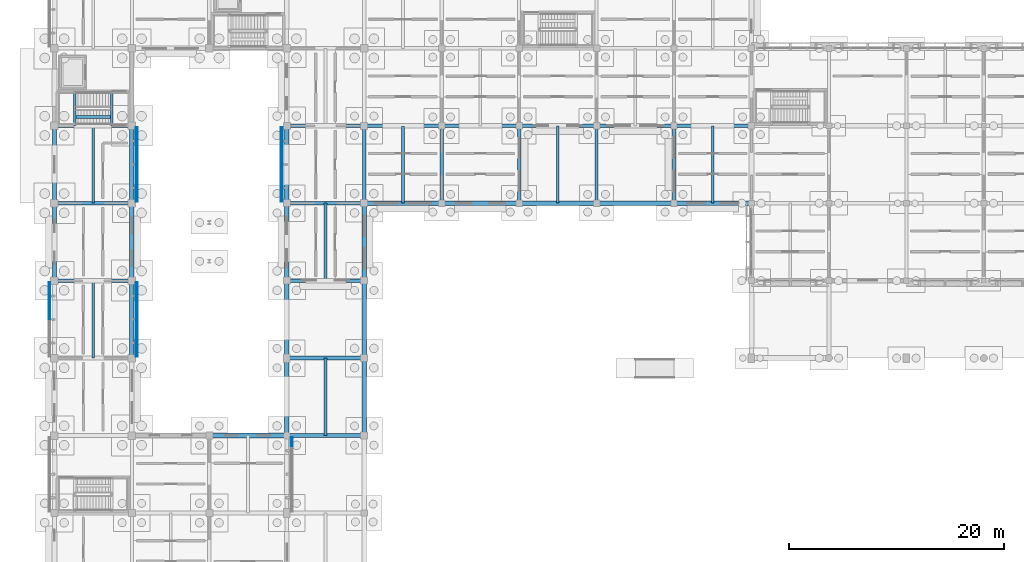
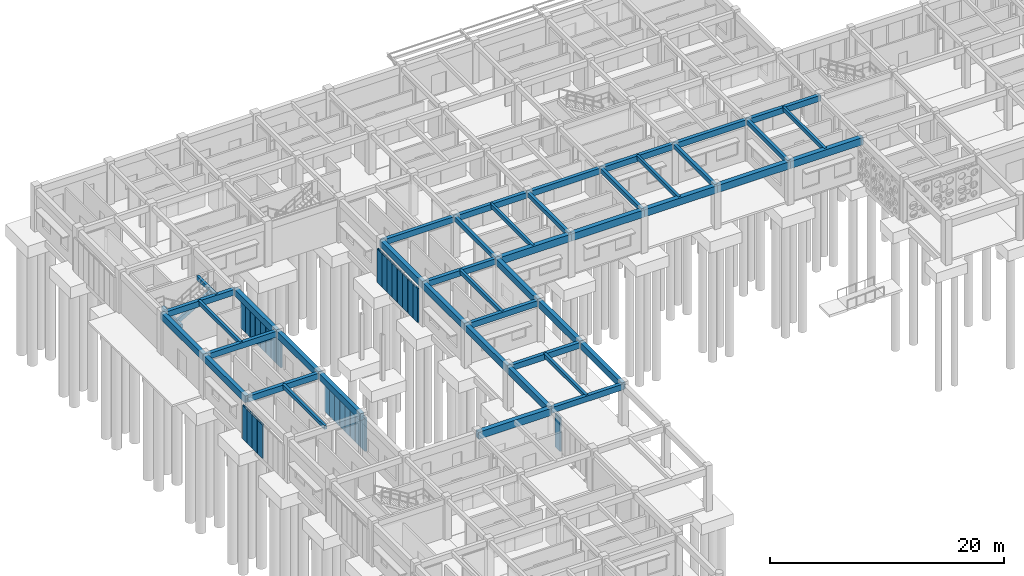
# One storey, part 15 of 111: 46 beams, 29 members, 5 elements without a shape of their own.
"""IFC4 building model written with IfcOpenShell, lengths in metres."""

import ifcopenshell
import ifcopenshell.guid

model = None  # the IFC model being written
_history = None  # IfcOwnerHistory: only IFC2X3 demands one
_inside = {}  # id of a spatial element -> (the spatial element, [elements in it])
_under = {}  # id of a project, library or spatial element -> (it, [spatial elements below it])
_declared = {}  # id of a project -> (the project, [libraries it declares])
_typed = {}  # id of a type object -> (the type object, [elements of that type])
_made_of = {}  # id of a material, layer set ... -> (it, [elements and type objects made of it])


def new_model(schema):
    """Start an empty IFC model of exactly this schema.

    Asked for "IFC4X3", IfcOpenShell would pick the latest addendum, in which some entities
    have other attributes; the version numbers below select the first issue.
    IFC2X3 requires an IfcOwnerHistory on every rooted entity: one is made here for all.
    """
    global model, _history
    if schema == "IFC4X3":
        model = ifcopenshell.file(schema_version=(4, 3, 0, 0))
    else:
        model = ifcopenshell.file(schema=schema)
    _inside.clear()
    _under.clear()
    _declared.clear()
    _typed.clear()
    _made_of.clear()
    _history = None
    if model.schema == "IFC2X3":
        org = make("IfcOrganization", Name="unknown")
        user = make(
            "IfcPersonAndOrganization",
            ThePerson=make("IfcPerson", FamilyName="unknown"),
            TheOrganization=org,
        )
        app = make(
            "IfcApplication",
            ApplicationDeveloper=org,
            Version="unknown",
            ApplicationFullName="unknown",
            ApplicationIdentifier="unknown",
        )
        _history = make(
            "IfcOwnerHistory",
            OwningUser=user,
            OwningApplication=app,
            ChangeAction="ADDED",
            CreationDate=0,
        )
    return model


def make(cls, **values):
    """One entity of the class cls with the attributes given. An attribute that is None is left unset."""
    return model.create_entity(
        cls, **{name: value for name, value in values.items() if value is not None}
    )


def rooted(cls, **values):
    """An entity with a GlobalId (a new one), such as an element, a storey or a relation."""
    return make(cls, GlobalId=ifcopenshell.guid.new(), OwnerHistory=_history, **values)


def si_unit(unit_type, name, prefix=None):
    """IfcSIUnit, for example si_unit("LENGTHUNIT", "METRE", prefix="MILLI")."""
    return make("IfcSIUnit", UnitType=unit_type, Prefix=prefix, Name=name)


def assignment(units):
    """IfcUnitAssignment: the units of a project."""
    return None if units is None else make("IfcUnitAssignment", Units=units)


def point(xyz):
    """IfcCartesianPoint."""
    return None if xyz is None else make("IfcCartesianPoint", Coordinates=xyz)


def direction(xyz):
    """IfcDirection."""
    return None if xyz is None else make("IfcDirection", DirectionRatios=xyz)


def frame(location, z_axis=None, x_axis=None):
    """IfcAxis2Placement3D, a coordinate frame: its origin and axes. An axis left out is left unset."""
    return make(
        "IfcAxis2Placement3D",
        Location=point(location),
        Axis=direction(z_axis),
        RefDirection=direction(x_axis),
    )


def frame_2d(location, x_axis=None):
    """IfcAxis2Placement2D, a coordinate frame in the plane: its origin and x axis."""
    return make(
        "IfcAxis2Placement2D", Location=point(location), RefDirection=direction(x_axis)
    )


def origin():
    """The frame at (0, 0, 0) with its axes left unset."""
    return frame((0.0, 0.0, 0.0))


def origin_2d():
    """The frame at (0, 0) in the plane with its x axis left unset."""
    return frame_2d((0.0, 0.0))


def place(relative_to, where):
    """IfcLocalPlacement: puts the frame where relative to a parent placement (None: the world)."""
    return make(
        "IfcLocalPlacement", PlacementRelTo=relative_to, RelativePlacement=where
    )


def context(
    kind, dimensions, precision=None, world=None, true_north=None, identifier=None
):
    """IfcGeometricRepresentationContext, for example the 3D "Model" context."""
    return make(
        "IfcGeometricRepresentationContext",
        ContextIdentifier=identifier,
        ContextType=kind,
        CoordinateSpaceDimension=dimensions,
        Precision=precision,
        WorldCoordinateSystem=world,
        TrueNorth=true_north,
    )


def subcontext(parent, identifier, kind, view, scale=None):
    """IfcGeometricRepresentationSubContext, for example "Body" below "Model"."""
    return make(
        "IfcGeometricRepresentationSubContext",
        ContextIdentifier=identifier,
        ContextType=kind,
        ParentContext=parent,
        TargetScale=scale,
        TargetView=view,
    )


def project(units=None, contexts=None):
    """IfcProject with its units and contexts."""
    return rooted(
        "IfcProject",
        Name="project",
        RepresentationContexts=contexts,
        UnitsInContext=assignment(units),
    )


def spatial(cls, under=None, at=None, **own):
    """A site, building, storey or space (cls), placed at a placement, below another one or the project."""
    s = rooted(cls, ObjectPlacement=at, **own)
    if under is not None:
        _under.setdefault(under.id(), (under, []))[1].append(s)
    return s


def profile(cls, at=None, kind="AREA", **sizes):
    """A parametric profile (cls). Its sizes go by their IFC names, for example OverallWidth=200.0."""
    return make(cls, ProfileType=kind, Position=at, **sizes)


def rectangle(**sizes):
    """IfcRectangleProfileDef."""
    return profile("IfcRectangleProfileDef", **sizes)


def hollow_rectangle(**sizes):
    """IfcRectangleHollowProfileDef."""
    return profile("IfcRectangleHollowProfileDef", **sizes)


def extrude(swept, where, along, depth):
    """IfcExtrudedAreaSolid: the profile swept, set in the frame where, extruded along a direction by depth."""
    return make(
        "IfcExtrudedAreaSolid",
        SweptArea=swept,
        Position=where,
        ExtrudedDirection=direction(along),
        Depth=depth,
    )


def shape(context_of_items, identifier, shape_type, items):
    """IfcShapeRepresentation: the items that make up one representation, for example the "Body"."""
    return make(
        "IfcShapeRepresentation",
        ContextOfItems=context_of_items,
        RepresentationIdentifier=identifier,
        RepresentationType=shape_type,
        Items=items,
    )


def material(Name=None, Category=None):
    """IfcMaterial."""
    return make("IfcMaterial", Name=Name, Category=Category)


def material_profile(
    of_material, cross_section, Name=None, Category=None, Priority=None
):
    """IfcMaterialProfile: a cross section and its material."""
    return make(
        "IfcMaterialProfile",
        Name=Name,
        Material=of_material,
        Profile=cross_section,
        Priority=Priority,
        Category=Category,
    )


def profile_set(profiles, Name=None, composite=None):
    """IfcMaterialProfileSet."""
    return make(
        "IfcMaterialProfileSet",
        Name=Name,
        MaterialProfiles=profiles,
        CompositeProfile=composite,
    )


def made_of(thing, what):
    """Note that an element or type object is made of a material, layer set ...; save() writes the relation."""
    if what is not None:
        _made_of.setdefault(what.id(), (what, []))[1].append(thing)
    return thing


def type_object(cls, material=None, **own):
    """A type object (cls), such as IfcWallType, which elements share."""
    return made_of(rooted(cls, **own), material)


def element(
    cls,
    number,
    at=None,
    inside=None,
    cuts=None,
    type_object=None,
    material=None,
    context=None,
    identifier="Body",
    shape_type=None,
    held_by="IfcProductDefinitionShape",
    body=None,
    shapes=None,
    **own,
):
    """One element of the class cls, such as IfcWall. Its Tag is "e" and its number.

    at: its placement. inside: the storey or other place that contains it. cuts: it is an
    opening in that element (IfcRelVoidsElement). A single representation is given by context,
    identifier, shape_type and body (its items); several are given by shapes. held_by: the class
    of the entity that holds the representations. save() writes the other relations.
    """
    e = rooted(cls, Tag="e%d" % number, ObjectPlacement=at, **own)
    if body is not None:
        shapes = [shape(context, identifier, shape_type, body)]
    if shapes is not None:
        e.Representation = make(held_by, Representations=shapes)
    if inside is not None:
        _inside.setdefault(inside.id(), (inside, []))[1].append(e)
    if cuts is not None:
        rooted(
            "IfcRelVoidsElement", RelatingBuildingElement=cuts, RelatedOpeningElement=e
        )
    if type_object is not None:
        _typed.setdefault(type_object.id(), (type_object, []))[1].append(e)
    return made_of(e, material)


def aggregate(whole, parts):
    """IfcRelAggregates: a whole, such as a stair, and the parts it consists of."""
    return rooted("IfcRelAggregates", RelatingObject=whole, RelatedObjects=parts)


def save(model, path):
    """Write the relations noted so far, then the file.

    IfcRelAggregates (storeys below a building ...), IfcRelContainedInSpatialStructure (elements
    in a storey), IfcRelDefinesByType, IfcRelAssociatesMaterial and IfcRelDeclares: one each for
    every whole, place, type object, material and project.
    """
    for whole, parts in _under.values():
        aggregate(whole, parts)
    for where, things in _inside.values():
        rooted(
            "IfcRelContainedInSpatialStructure",
            RelatedElements=things,
            RelatingStructure=where,
        )
    for kind, things in _typed.values():
        rooted("IfcRelDefinesByType", RelatedObjects=things, RelatingType=kind)
    for what, things in _made_of.values():
        rooted("IfcRelAssociatesMaterial", RelatedObjects=things, RelatingMaterial=what)
    for by, libraries in _declared.values():
        rooted("IfcRelDeclares", RelatingContext=by, RelatedDefinitions=libraries)
    model.write(path)


model = new_model("IFC4")

# Units and contexts
model_context = context("Model", 3, precision=1e-05, world=origin(), true_north=direction((0.0, 1.0)))
body_context = subcontext(model_context, "Body", "Model", "MODEL_VIEW")
ifc_project = project(units=[si_unit("LENGTHUNIT", "METRE"), si_unit("AREAUNIT", "SQUARE_METRE"), si_unit("VOLUMEUNIT", "CUBIC_METRE"), si_unit("PLANEANGLEUNIT", "RADIAN"), si_unit("MASSUNIT", "GRAM", prefix="KILO")], contexts=[model_context])

# Site, building, storey
site_placement = place(None, origin())
site = spatial("IfcSite", under=ifc_project, at=site_placement, CompositionType="ELEMENT")
building_placement = place(site_placement, origin())
building = spatial("IfcBuilding", under=site, at=building_placement, Name="Aldebral Square Health Centre", CompositionType="ELEMENT")
storey_placement = place(building_placement, origin())
storey = spatial("IfcBuildingStorey", under=building, at=storey_placement, Name="L00", CompositionType="ELEMENT", Elevation=0.0)

# Beams
ifc_material_1 = material(Name="Concrete C40/50", Category="concrete")
ifc_material_profile_1 = material_profile(ifc_material_1, rectangle(XDim=0.35009765625, YDim=0.60009765625, at=origin_2d()), Name="RC 350x600")
ifc_profile_set_1 = profile_set([ifc_material_profile_1], Name="Concrete C40/50")
beam_type_1 = type_object("IfcBeamType", Name="BM-B2", PredefinedType="BEAM", material=ifc_profile_set_1)
for number, where, z_axis, x_axis, name in (
    (1, (0.0, 79.199951171875, 3.919921875), (1.0, 0.0, 0.0), (0.0, 1.0, 0.0), "L00 X-beam 1-2/G12"),
    (2, (0.0, 86.39990234375, 3.919921875), (1.0, 0.0, 0.0), (0.0, 1.0, 0.0), "L00 X-beam 1-2/G13"),
    (3, (0.0, 93.60009765625, 3.919921875), (1.0, 0.0, 0.0), (0.0, 1.0, 0.0), "L00 X-beam 1-2/G14"),
    (4, (21.60009765625, 64.800048828125, 3.919921875), (1.0, 0.0, 0.0), (0.0, 1.0, 0.0), "L00 X-beam 4-5/G10"),
    (5, (21.60009765625, 72.0, 3.919921875), (1.0, 0.0, 0.0), (0.0, 1.0, 0.0), "L00 X-beam 4-5/G11"),
    (6, (21.60009765625, 79.199951171875, 3.919921875), (1.0, 0.0, 0.0), (0.0, 1.0, 0.0), "L00 X-beam 4-5/G12"),
    (7, (21.60009765625, 86.39990234375, 3.919921875), (1.0, 0.0, 0.0), (0.0, 1.0, 0.0), "L00 X-beam 4-5/G13"),
    (8, (21.60009765625, 93.60009765625, 3.919921875), (1.0, 0.0, 0.0), (0.0, 1.0, 0.0), "L00 X-beam 4-5/G14"),
    (9, (28.800048828125, 93.60009765625, 3.919921875), (1.0, 0.0, 0.0), (0.0, 1.0, 0.0), "L00 X-beam 5-6/G14"),
    (10, (36.0, 93.60009765625, 3.919921875), (1.0, 0.0, 0.0), (0.0, 1.0, 0.0), "L00 X-beam 6-7/G14"),
    (11, (43.199951171875, 93.60009765625, 3.919921875), (1.0, 0.0, 0.0), (0.0, 1.0, 0.0), "L00 X-beam 7-8/G14"),
):
    element("IfcBeam", number, at=place(storey_placement, frame(where, z_axis=z_axis, x_axis=x_axis)), inside=storey, type_object=beam_type_1, Name=name, PredefinedType="BEAM", context=body_context, shape_type="SweptSolid", body=[
        extrude(rectangle(XDim=0.35009765625, YDim=0.60009765625, at=origin_2d()), origin(), (0.0, 0.0, 1.0), 7.199951171875),
    ])
beam_1_placement = place(storey_placement, frame((50.39990234375, 93.60009765625, 3.919921875), z_axis=(1.0, 0.0, 0.0), x_axis=(0.0, 1.0, 0.0)))
element("IfcBeam", 12, at=beam_1_placement, inside=storey, type_object=beam_type_1, Name="L00 X-beam 8-9/G14", PredefinedType="BEAM", context=body_context, shape_type="SweptSolid", body=[
    extrude(rectangle(XDim=0.35009765625, YDim=0.60009765625, at=origin_2d()), origin(), (0.0, 0.0, 1.0), 7.2001953125),
])
beam_2_placement = place(storey_placement, frame((57.60009765625, 93.60009765625, 3.919921875), z_axis=(1.0, 0.0, 0.0), x_axis=(0.0, 1.0, 0.0)))
element("IfcBeam", 13, at=beam_2_placement, inside=storey, type_object=beam_type_1, Name="L00 X-beam 9-10/G14", PredefinedType="BEAM", context=body_context, shape_type="SweptSolid", body=[
    extrude(rectangle(XDim=0.35009765625, YDim=0.60009765625, at=origin_2d()), origin(), (0.0, 0.0, 1.0), 7.199951171875),
])
ifc_material_profile_2 = material_profile(ifc_material_1, rectangle(XDim=0.300048828125, YDim=0.449951171875, at=origin_2d()), Name="RC 300x450")
ifc_profile_set_2 = profile_set([ifc_material_profile_2], Name="Concrete C40/50")
beam_type_2 = type_object("IfcBeamType", Name="BM-B5", PredefinedType="BEAM", material=ifc_profile_set_2)
for number, where, z_axis, x_axis, name in (
    (14, (28.800048828125, 86.39990234375, 3.9951171875), (0.0, 1.0, 0.0), (-1.0, 0.0, 0.0), "L00 Y-beam G5/13-14"),
    (15, (36.0, 86.39990234375, 3.9951171875), (0.0, 1.0, 0.0), (-1.0, 0.0, 0.0), "L00 Y-beam G6/13-14"),
    (16, (43.199951171875, 86.39990234375, 3.9951171875), (0.0, 1.0, 0.0), (-1.0, 0.0, 0.0), "L00 Y-beam G7/13-14"),
    (17, (50.39990234375, 86.39990234375, 3.9951171875), (0.0, 1.0, 0.0), (-1.0, 0.0, 0.0), "L00 Y-beam G8/13-14"),
    (18, (57.60009765625, 86.39990234375, 3.9951171875), (0.0, 1.0, 0.0), (-1.0, 0.0, 0.0), "L00 Y-beam G9/13-14"),
):
    element("IfcBeam", number, at=place(storey_placement, frame(where, z_axis=z_axis, x_axis=x_axis)), inside=storey, type_object=beam_type_2, Name=name, PredefinedType="BEAM", context=body_context, shape_type="SweptSolid", body=[
        extrude(rectangle(XDim=0.300048828125, YDim=0.449951171875, at=origin_2d()), origin(), (0.0, 0.0, 1.0), 7.2001953125),
    ])
ifc_material_profile_3 = material_profile(ifc_material_1, rectangle(XDim=0.25, YDim=0.39990234375, at=origin_2d()), Name="RC 250x400")
ifc_profile_set_3 = profile_set([ifc_material_profile_3], Name="Concrete C40/50")
beam_type_3 = type_object("IfcBeamType", Name="BM-B6", PredefinedType="JOIST", material=ifc_profile_set_3)
beam_3_placement = place(storey_placement, frame((3.60009765625, 72.0, 4.02001953125), z_axis=(0.0, 1.0, 0.0), x_axis=(-1.0, 0.0, 0.0)))
element("IfcBeam", 19, at=beam_3_placement, inside=storey, type_object=beam_type_3, Name="L00 secondary rib 1.11", PredefinedType="JOIST", context=body_context, shape_type="SweptSolid", body=[
    extrude(rectangle(XDim=0.25, YDim=0.39990234375, at=origin_2d()), origin(), (0.0, 0.0, 1.0), 7.199951171875),
])
beam_4_placement = place(storey_placement, frame((3.60009765625, 86.39990234375, 4.02001953125), z_axis=(0.0, 1.0, 0.0), x_axis=(-1.0, 0.0, 0.0)))
element("IfcBeam", 20, at=beam_4_placement, inside=storey, type_object=beam_type_3, Name="L00 secondary rib 1.13", PredefinedType="JOIST", context=body_context, shape_type="SweptSolid", body=[
    extrude(rectangle(XDim=0.25, YDim=0.39990234375, at=origin_2d()), origin(), (0.0, 0.0, 1.0), 7.2001953125),
])
for number, where, z_axis, x_axis, name in (
    (21, (25.199951171875, 64.800048828125, 4.02001953125), (0.0, 1.0, 0.0), (-1.0, 0.0, 0.0), "L00 secondary rib 4.10"),
    (22, (25.199951171875, 79.199951171875, 4.02001953125), (0.0, 1.0, 0.0), (-1.0, 0.0, 0.0), "L00 secondary rib 4.12"),
):
    element("IfcBeam", number, at=place(storey_placement, frame(where, z_axis=z_axis, x_axis=x_axis)), inside=storey, type_object=beam_type_3, Name=name, PredefinedType="JOIST", context=body_context, shape_type="SweptSolid", body=[
        extrude(rectangle(XDim=0.25, YDim=0.39990234375, at=origin_2d()), origin(), (0.0, 0.0, 1.0), 7.199951171875),
    ])
for number, where, z_axis, x_axis, name in (
    (23, (32.39990234375, 86.39990234375, 4.02001953125), (0.0, 1.0, 0.0), (-1.0, 0.0, 0.0), "L00 secondary rib 5.13"),
    (24, (46.800048828125, 86.39990234375, 4.02001953125), (0.0, 1.0, 0.0), (-1.0, 0.0, 0.0), "L00 secondary rib 7.13"),
    (25, (61.199951171875, 86.39990234375, 4.02001953125), (0.0, 1.0, 0.0), (-1.0, 0.0, 0.0), "L00 secondary rib 9.13"),
):
    element("IfcBeam", number, at=place(storey_placement, frame(where, z_axis=z_axis, x_axis=x_axis)), inside=storey, type_object=beam_type_3, Name=name, PredefinedType="JOIST", context=body_context, shape_type="SweptSolid", body=[
        extrude(rectangle(XDim=0.25, YDim=0.39990234375, at=origin_2d()), origin(), (0.0, 0.0, 1.0), 7.2001953125),
    ])
for number, where, z_axis, x_axis, name in (
    (26, (1.8798828125, 93.610107421875, 2.050048828125), (0.0, 1.0, 0.0), (-1.0, 0.0, 0.0), "L00 WC-C1 half-landing beam"),
    (27, (5.320068359375, 93.610107421875, 4.02001953125), (0.0, 1.0, 0.0), (-1.0, 0.0, 0.0), "L00 WC-C1 upper landing beam"),
):
    element("IfcBeam", number, at=place(storey_placement, frame(where, z_axis=z_axis, x_axis=x_axis)), inside=storey, type_object=beam_type_3, Name=name, PredefinedType="JOIST", context=body_context, shape_type="SweptSolid", body=[
        extrude(rectangle(XDim=0.25, YDim=0.39990234375, at=origin_2d()), origin(), (0.0, 0.0, 1.0), 3.219970703125),
    ])
beam_5_placement = place(storey_placement, frame((1.8798828125, 94.419921875, 2.050048828125), z_axis=(0.867791792995, 0.0, 0.496927966622), x_axis=(0.0, 1.0, 0.0)))
element("IfcBeam", 28, at=beam_5_placement, inside=storey, type_object=beam_type_3, Name="L00 WC-C1 flight stringer beam", PredefinedType="JOIST", context=body_context, shape_type="SweptSolid", body=[
    extrude(rectangle(XDim=0.25, YDim=0.39990234375, at=origin_2d()), origin(), (0.0, 0.0, 1.0), 3.96435546875),
])
ifc_material_profile_4 = material_profile(ifc_material_1, rectangle(XDim=0.449951171875, YDim=0.75, at=origin_2d()), Name="RC 450x750")
ifc_profile_set_4 = profile_set([ifc_material_profile_4], Name="Concrete C40/50")
beam_type_4 = type_object("IfcBeamType", Name="BM-G2", PredefinedType="T_BEAM", material=ifc_profile_set_4)
beam_6_placement = place(storey_placement, frame((14.39990234375, 64.800048828125, 3.844970703125), z_axis=(1.0, 0.0, 0.0), x_axis=(0.0, 1.0, 0.0)))
element("IfcBeam", 29, at=beam_6_placement, inside=storey, type_object=beam_type_4, Name="L00 X-beam 3-4/G10", PredefinedType="T_BEAM", context=body_context, shape_type="SweptSolid", body=[
    extrude(rectangle(XDim=0.449951171875, YDim=0.75, at=origin_2d()), origin(), (0.0, 0.0, 1.0), 7.2001953125),
])
for number, where, z_axis, x_axis, name in (
    (30, (28.800048828125, 86.39990234375, 3.844970703125), (1.0, 0.0, 0.0), (0.0, 1.0, 0.0), "L00 X-beam 5-6/G13"),
    (31, (36.0, 86.39990234375, 3.844970703125), (1.0, 0.0, 0.0), (0.0, 1.0, 0.0), "L00 X-beam 6-7/G13"),
    (32, (43.199951171875, 86.39990234375, 3.844970703125), (1.0, 0.0, 0.0), (0.0, 1.0, 0.0), "L00 X-beam 7-8/G13"),
):
    element("IfcBeam", number, at=place(storey_placement, frame(where, z_axis=z_axis, x_axis=x_axis)), inside=storey, type_object=beam_type_4, Name=name, PredefinedType="T_BEAM", context=body_context, shape_type="SweptSolid", body=[
        extrude(rectangle(XDim=0.449951171875, YDim=0.75, at=origin_2d()), origin(), (0.0, 0.0, 1.0), 7.199951171875),
    ])
beam_7_placement = place(storey_placement, frame((50.39990234375, 86.39990234375, 3.844970703125), z_axis=(1.0, 0.0, 0.0), x_axis=(0.0, 1.0, 0.0)))
element("IfcBeam", 33, at=beam_7_placement, inside=storey, type_object=beam_type_4, Name="L00 X-beam 8-9/G13", PredefinedType="T_BEAM", context=body_context, shape_type="SweptSolid", body=[
    extrude(rectangle(XDim=0.449951171875, YDim=0.75, at=origin_2d()), origin(), (0.0, 0.0, 1.0), 7.2001953125),
])
beam_8_placement = place(storey_placement, frame((57.60009765625, 86.39990234375, 3.844970703125), z_axis=(1.0, 0.0, 0.0), x_axis=(0.0, 1.0, 0.0)))
element("IfcBeam", 34, at=beam_8_placement, inside=storey, type_object=beam_type_4, Name="L00 X-beam 9-10/G13", PredefinedType="T_BEAM", context=body_context, shape_type="SweptSolid", body=[
    extrude(rectangle(XDim=0.449951171875, YDim=0.75, at=origin_2d()), origin(), (0.0, 0.0, 1.0), 7.199951171875),
])
ifc_material_profile_5 = material_profile(ifc_material_1, rectangle(XDim=0.39990234375, YDim=0.699951171875, at=origin_2d()), Name="RC 400x700")
ifc_profile_set_5 = profile_set([ifc_material_profile_5], Name="Concrete C40/50")
beam_type_5 = type_object("IfcBeamType", Name="BM-G3", PredefinedType="T_BEAM", material=ifc_profile_set_5)
beam_9_placement = place(storey_placement, frame((0.0, 79.199951171875, 3.8701171875), z_axis=(0.0, 1.0, 0.0), x_axis=(-1.0, 0.0, 0.0)))
element("IfcBeam", 35, at=beam_9_placement, inside=storey, type_object=beam_type_5, Name="L00 Y-beam G1/12-13", PredefinedType="T_BEAM", context=body_context, shape_type="SweptSolid", body=[
    extrude(rectangle(XDim=0.39990234375, YDim=0.699951171875, at=origin_2d()), origin(), (0.0, 0.0, 1.0), 7.199951171875),
])
beam_10_placement = place(storey_placement, frame((0.0, 86.39990234375, 3.8701171875), z_axis=(0.0, 1.0, 0.0), x_axis=(-1.0, 0.0, 0.0)))
element("IfcBeam", 36, at=beam_10_placement, inside=storey, type_object=beam_type_5, Name="L00 Y-beam G1/13-14", PredefinedType="T_BEAM", context=body_context, shape_type="SweptSolid", body=[
    extrude(rectangle(XDim=0.39990234375, YDim=0.699951171875, at=origin_2d()), origin(), (0.0, 0.0, 1.0), 7.2001953125),
])
for number, where, z_axis, x_axis, name in (
    (37, (7.199951171875, 72.0, 3.8701171875), (0.0, 1.0, 0.0), (-1.0, 0.0, 0.0), "L00 Y-beam G2/11-12"),
    (38, (7.199951171875, 79.199951171875, 3.8701171875), (0.0, 1.0, 0.0), (-1.0, 0.0, 0.0), "L00 Y-beam G2/12-13"),
):
    element("IfcBeam", number, at=place(storey_placement, frame(where, z_axis=z_axis, x_axis=x_axis)), inside=storey, type_object=beam_type_5, Name=name, PredefinedType="T_BEAM", context=body_context, shape_type="SweptSolid", body=[
        extrude(rectangle(XDim=0.39990234375, YDim=0.699951171875, at=origin_2d()), origin(), (0.0, 0.0, 1.0), 7.199951171875),
    ])
beam_11_placement = place(storey_placement, frame((7.199951171875, 86.39990234375, 3.8701171875), z_axis=(0.0, 1.0, 0.0), x_axis=(-1.0, 0.0, 0.0)))
element("IfcBeam", 39, at=beam_11_placement, inside=storey, type_object=beam_type_5, Name="L00 Y-beam G2/13-14", PredefinedType="T_BEAM", context=body_context, shape_type="SweptSolid", body=[
    extrude(rectangle(XDim=0.39990234375, YDim=0.699951171875, at=origin_2d()), origin(), (0.0, 0.0, 1.0), 7.2001953125),
])
for number, where, z_axis, x_axis, name in (
    (40, (21.60009765625, 64.800048828125, 3.8701171875), (0.0, 1.0, 0.0), (-1.0, 0.0, 0.0), "L00 Y-beam G4/10-11"),
    (41, (21.60009765625, 72.0, 3.8701171875), (0.0, 1.0, 0.0), (-1.0, 0.0, 0.0), "L00 Y-beam G4/11-12"),
    (42, (21.60009765625, 79.199951171875, 3.8701171875), (0.0, 1.0, 0.0), (-1.0, 0.0, 0.0), "L00 Y-beam G4/12-13"),
):
    element("IfcBeam", number, at=place(storey_placement, frame(where, z_axis=z_axis, x_axis=x_axis)), inside=storey, type_object=beam_type_5, Name=name, PredefinedType="T_BEAM", context=body_context, shape_type="SweptSolid", body=[
        extrude(rectangle(XDim=0.39990234375, YDim=0.699951171875, at=origin_2d()), origin(), (0.0, 0.0, 1.0), 7.199951171875),
    ])
beam_12_placement = place(storey_placement, frame((21.60009765625, 86.39990234375, 3.8701171875), z_axis=(0.0, 1.0, 0.0), x_axis=(-1.0, 0.0, 0.0)))
element("IfcBeam", 43, at=beam_12_placement, inside=storey, type_object=beam_type_5, Name="L00 Y-beam G4/13-14", PredefinedType="T_BEAM", context=body_context, shape_type="SweptSolid", body=[
    extrude(rectangle(XDim=0.39990234375, YDim=0.699951171875, at=origin_2d()), origin(), (0.0, 0.0, 1.0), 7.2001953125),
])
for number, where, z_axis, x_axis, name in (
    (44, (28.800048828125, 64.800048828125, 3.8701171875), (0.0, 1.0, 0.0), (-1.0, 0.0, 0.0), "L00 Y-beam G5/10-11"),
    (45, (28.800048828125, 72.0, 3.8701171875), (0.0, 1.0, 0.0), (-1.0, 0.0, 0.0), "L00 Y-beam G5/11-12"),
    (46, (28.800048828125, 79.199951171875, 3.8701171875), (0.0, 1.0, 0.0), (-1.0, 0.0, 0.0), "L00 Y-beam G5/12-13"),
):
    element("IfcBeam", number, at=place(storey_placement, frame(where, z_axis=z_axis, x_axis=x_axis)), inside=storey, type_object=beam_type_5, Name=name, PredefinedType="T_BEAM", context=body_context, shape_type="SweptSolid", body=[
        extrude(rectangle(XDim=0.39990234375, YDim=0.699951171875, at=origin_2d()), origin(), (0.0, 0.0, 1.0), 7.199951171875),
    ])

# Curtain wall, members
ifc_material_2 = material(Name="Aluminium and low-E solar glass", Category="aluminium")
curtain_wall_type = type_object("IfcCurtainWallType", Name="CW-FIN-SYS", PredefinedType="USERDEFINED", material=ifc_material_2)
curtain_wall_1_placement = place(storey_placement, origin())
curtain_wall_1 = element("IfcCurtainWall", 47, at=curtain_wall_1_placement, inside=storey, type_object=curtain_wall_type, Name="L00 V4 finned curtain wall L00-V4-00-10-W", ObjectType="SOLAR_CURTAIN_WALL", PredefinedType="USERDEFINED")
ifc_material_3 = material(Name="Sienna-terracotta clad aluminium fin", Category="masonry")
ifc_material_profile_6 = material_profile(ifc_material_3, hollow_rectangle(XDim=0.159912109375, YDim=0.85009765625, WallThickness=0.006103515625, at=origin_2d()), Name="FIN 160x850x6")
ifc_profile_set_6 = profile_set([ifc_material_profile_6], Name="Sienna-terracotta clad aluminium fin")
member_type = type_object("IfcMemberType", Name="CWM-FIN", PredefinedType="MULLION", material=ifc_profile_set_6)
member_1_placement = place(storey_placement, frame((-0.4599609375, 78.639892578125, 0.0), z_axis=(0.0, 0.0, 1.0), x_axis=(1.0, 0.0, 0.0)))
member_1 = element("IfcMember", 48, at=member_1_placement, type_object=member_type, Name="CW1 mullion 1", PredefinedType="MULLION", context=body_context, shape_type="SweptSolid", body=[
    extrude(hollow_rectangle(XDim=0.159912109375, YDim=0.85009765625, WallThickness=0.006103515625, at=origin_2d()), origin(), (0.0, 0.0, 1.0), 3.52001953125),
])
member_2_placement = place(storey_placement, frame((-0.4599609375, 77.82861328125, 0.0), z_axis=(0.0, 0.0, 1.0), x_axis=(1.0, 0.0, 0.0)))
member_2 = element("IfcMember", 49, at=member_2_placement, type_object=member_type, Name="CW1 mullion 2", PredefinedType="MULLION", context=body_context, shape_type="SweptSolid", body=[
    extrude(hollow_rectangle(XDim=0.159912109375, YDim=0.85009765625, WallThickness=0.006103515625, at=origin_2d()), origin(), (0.0, 0.0, 1.0), 3.52001953125),
])
member_3_placement = place(storey_placement, frame((-0.4599609375, 76.937255859375, 0.0), z_axis=(0.0, 0.0, 1.0), x_axis=(1.0, 0.0, 0.0)))
member_3 = element("IfcMember", 50, at=member_3_placement, type_object=member_type, Name="CW1 mullion 3", PredefinedType="MULLION", context=body_context, shape_type="SweptSolid", body=[
    extrude(hollow_rectangle(XDim=0.159912109375, YDim=0.85009765625, WallThickness=0.006103515625, at=origin_2d()), origin(), (0.0, 0.0, 1.0), 3.52001953125),
])
member_4_placement = place(storey_placement, frame((-0.4599609375, 76.045654296875, 0.0), z_axis=(0.0, 0.0, 1.0), x_axis=(1.0, 0.0, 0.0)))
member_4 = element("IfcMember", 51, at=member_4_placement, type_object=member_type, Name="CW1 mullion 4", PredefinedType="MULLION", context=body_context, shape_type="SweptSolid", body=[
    extrude(hollow_rectangle(XDim=0.159912109375, YDim=0.85009765625, WallThickness=0.006103515625, at=origin_2d()), origin(), (0.0, 0.0, 1.0), 3.52001953125),
])
aggregate(curtain_wall_1, [member_1, member_2, member_3, member_4])

curtain_wall_2_placement = place(storey_placement, origin())
curtain_wall_2 = element("IfcCurtainWall", 52, at=curtain_wall_2_placement, inside=storey, type_object=curtain_wall_type, Name="L00 V4 finned curtain wall L00-V4-00-10-E", ObjectType="SOLAR_CURTAIN_WALL", PredefinedType="USERDEFINED")
member_5_placement = place(storey_placement, frame((7.659912109375, 72.56005859375, 0.0), z_axis=(0.0, 0.0, 1.0), x_axis=(-1.0, 0.0, 0.0)))
member_5 = element("IfcMember", 53, at=member_5_placement, type_object=member_type, Name="CW1 mullion 1", PredefinedType="MULLION", context=body_context, shape_type="SweptSolid", body=[
    extrude(hollow_rectangle(XDim=0.159912109375, YDim=0.85009765625, WallThickness=0.006103515625, at=origin_2d()), origin(), (0.0, 0.0, 1.0), 3.52001953125),
])
member_6_placement = place(storey_placement, frame((7.659912109375, 73.371337890625, 0.0), z_axis=(0.0, 0.0, 1.0), x_axis=(-1.0, 0.0, 0.0)))
member_6 = element("IfcMember", 54, at=member_6_placement, type_object=member_type, Name="CW1 mullion 2", PredefinedType="MULLION", context=body_context, shape_type="SweptSolid", body=[
    extrude(hollow_rectangle(XDim=0.159912109375, YDim=0.85009765625, WallThickness=0.006103515625, at=origin_2d()), origin(), (0.0, 0.0, 1.0), 3.52001953125),
])
member_7_placement = place(storey_placement, frame((7.659912109375, 74.262939453125, 0.0), z_axis=(0.0, 0.0, 1.0), x_axis=(-1.0, 0.0, 0.0)))
member_7 = element("IfcMember", 55, at=member_7_placement, type_object=member_type, Name="CW1 mullion 3", PredefinedType="MULLION", context=body_context, shape_type="SweptSolid", body=[
    extrude(hollow_rectangle(XDim=0.159912109375, YDim=0.85009765625, WallThickness=0.006103515625, at=origin_2d()), origin(), (0.0, 0.0, 1.0), 3.52001953125),
])
member_8_placement = place(storey_placement, frame((7.659912109375, 75.154296875, 0.0), z_axis=(0.0, 0.0, 1.0), x_axis=(-1.0, 0.0, 0.0)))
member_8 = element("IfcMember", 56, at=member_8_placement, type_object=member_type, Name="CW1 mullion 4", PredefinedType="MULLION", context=body_context, shape_type="SweptSolid", body=[
    extrude(hollow_rectangle(XDim=0.159912109375, YDim=0.85009765625, WallThickness=0.006103515625, at=origin_2d()), origin(), (0.0, 0.0, 1.0), 3.52001953125),
])
member_9_placement = place(storey_placement, frame((7.659912109375, 76.045654296875, 0.0), z_axis=(0.0, 0.0, 1.0), x_axis=(-1.0, 0.0, 0.0)))
member_9 = element("IfcMember", 57, at=member_9_placement, type_object=member_type, Name="CW1 mullion 5", PredefinedType="MULLION", context=body_context, shape_type="SweptSolid", body=[
    extrude(hollow_rectangle(XDim=0.159912109375, YDim=0.85009765625, WallThickness=0.006103515625, at=origin_2d()), origin(), (0.0, 0.0, 1.0), 3.52001953125),
])
member_10_placement = place(storey_placement, frame((7.659912109375, 76.937255859375, 0.0), z_axis=(0.0, 0.0, 1.0), x_axis=(-1.0, 0.0, 0.0)))
member_10 = element("IfcMember", 58, at=member_10_placement, type_object=member_type, Name="CW1 mullion 6", PredefinedType="MULLION", context=body_context, shape_type="SweptSolid", body=[
    extrude(hollow_rectangle(XDim=0.159912109375, YDim=0.85009765625, WallThickness=0.006103515625, at=origin_2d()), origin(), (0.0, 0.0, 1.0), 3.52001953125),
])
member_11_placement = place(storey_placement, frame((7.659912109375, 77.82861328125, 0.0), z_axis=(0.0, 0.0, 1.0), x_axis=(-1.0, 0.0, 0.0)))
member_11 = element("IfcMember", 59, at=member_11_placement, type_object=member_type, Name="CW1 mullion 7", PredefinedType="MULLION", context=body_context, shape_type="SweptSolid", body=[
    extrude(hollow_rectangle(XDim=0.159912109375, YDim=0.85009765625, WallThickness=0.006103515625, at=origin_2d()), origin(), (0.0, 0.0, 1.0), 3.52001953125),
])
member_12_placement = place(storey_placement, frame((7.659912109375, 78.639892578125, 0.0), z_axis=(0.0, 0.0, 1.0), x_axis=(-1.0, 0.0, 0.0)))
member_12 = element("IfcMember", 60, at=member_12_placement, type_object=member_type, Name="CW1 mullion 8", PredefinedType="MULLION", context=body_context, shape_type="SweptSolid", body=[
    extrude(hollow_rectangle(XDim=0.159912109375, YDim=0.85009765625, WallThickness=0.006103515625, at=origin_2d()), origin(), (0.0, 0.0, 1.0), 3.52001953125),
])
aggregate(curtain_wall_2, [member_5, member_6, member_7, member_8, member_9, member_10, member_11, member_12])

curtain_wall_3_placement = place(storey_placement, origin())
curtain_wall_3 = element("IfcCurtainWall", 61, at=curtain_wall_3_placement, inside=storey, type_object=curtain_wall_type, Name="L00 V4 finned curtain wall L00-V4-00-12-E", ObjectType="SOLAR_CURTAIN_WALL", PredefinedType="USERDEFINED")
member_13_placement = place(storey_placement, frame((7.659912109375, 86.9599609375, 0.0), z_axis=(0.0, 0.0, 1.0), x_axis=(-1.0, 0.0, 0.0)))
member_13 = element("IfcMember", 62, at=member_13_placement, type_object=member_type, Name="CW1 mullion 1", PredefinedType="MULLION", context=body_context, shape_type="SweptSolid", body=[
    extrude(hollow_rectangle(XDim=0.159912109375, YDim=0.85009765625, WallThickness=0.006103515625, at=origin_2d()), origin(), (0.0, 0.0, 1.0), 3.52001953125),
])
member_14_placement = place(storey_placement, frame((7.659912109375, 87.771484375, 0.0), z_axis=(0.0, 0.0, 1.0), x_axis=(-1.0, 0.0, 0.0)))
member_14 = element("IfcMember", 63, at=member_14_placement, type_object=member_type, Name="CW1 mullion 2", PredefinedType="MULLION", context=body_context, shape_type="SweptSolid", body=[
    extrude(hollow_rectangle(XDim=0.159912109375, YDim=0.85009765625, WallThickness=0.006103515625, at=origin_2d()), origin(), (0.0, 0.0, 1.0), 3.52001953125),
])
member_15_placement = place(storey_placement, frame((7.659912109375, 88.662841796875, 0.0), z_axis=(0.0, 0.0, 1.0), x_axis=(-1.0, 0.0, 0.0)))
member_15 = element("IfcMember", 64, at=member_15_placement, type_object=member_type, Name="CW1 mullion 3", PredefinedType="MULLION", context=body_context, shape_type="SweptSolid", body=[
    extrude(hollow_rectangle(XDim=0.159912109375, YDim=0.85009765625, WallThickness=0.006103515625, at=origin_2d()), origin(), (0.0, 0.0, 1.0), 3.52001953125),
])
member_16_placement = place(storey_placement, frame((7.659912109375, 89.55419921875, 0.0), z_axis=(0.0, 0.0, 1.0), x_axis=(-1.0, 0.0, 0.0)))
member_16 = element("IfcMember", 65, at=member_16_placement, type_object=member_type, Name="CW1 mullion 4", PredefinedType="MULLION", context=body_context, shape_type="SweptSolid", body=[
    extrude(hollow_rectangle(XDim=0.159912109375, YDim=0.85009765625, WallThickness=0.006103515625, at=origin_2d()), origin(), (0.0, 0.0, 1.0), 3.52001953125),
])
member_17_placement = place(storey_placement, frame((7.659912109375, 90.44580078125, 0.0), z_axis=(0.0, 0.0, 1.0), x_axis=(-1.0, 0.0, 0.0)))
member_17 = element("IfcMember", 66, at=member_17_placement, type_object=member_type, Name="CW1 mullion 5", PredefinedType="MULLION", context=body_context, shape_type="SweptSolid", body=[
    extrude(hollow_rectangle(XDim=0.159912109375, YDim=0.85009765625, WallThickness=0.006103515625, at=origin_2d()), origin(), (0.0, 0.0, 1.0), 3.52001953125),
])
member_18_placement = place(storey_placement, frame((7.659912109375, 91.337158203125, 0.0), z_axis=(0.0, 0.0, 1.0), x_axis=(-1.0, 0.0, 0.0)))
member_18 = element("IfcMember", 67, at=member_18_placement, type_object=member_type, Name="CW1 mullion 6", PredefinedType="MULLION", context=body_context, shape_type="SweptSolid", body=[
    extrude(hollow_rectangle(XDim=0.159912109375, YDim=0.85009765625, WallThickness=0.006103515625, at=origin_2d()), origin(), (0.0, 0.0, 1.0), 3.52001953125),
])
member_19_placement = place(storey_placement, frame((7.659912109375, 92.228515625, 0.0), z_axis=(0.0, 0.0, 1.0), x_axis=(-1.0, 0.0, 0.0)))
member_19 = element("IfcMember", 68, at=member_19_placement, type_object=member_type, Name="CW1 mullion 7", PredefinedType="MULLION", context=body_context, shape_type="SweptSolid", body=[
    extrude(hollow_rectangle(XDim=0.159912109375, YDim=0.85009765625, WallThickness=0.006103515625, at=origin_2d()), origin(), (0.0, 0.0, 1.0), 3.52001953125),
])
member_20_placement = place(storey_placement, frame((7.659912109375, 93.0400390625, 0.0), z_axis=(0.0, 0.0, 1.0), x_axis=(-1.0, 0.0, 0.0)))
member_20 = element("IfcMember", 69, at=member_20_placement, type_object=member_type, Name="CW1 mullion 8", PredefinedType="MULLION", context=body_context, shape_type="SweptSolid", body=[
    extrude(hollow_rectangle(XDim=0.159912109375, YDim=0.85009765625, WallThickness=0.006103515625, at=origin_2d()), origin(), (0.0, 0.0, 1.0), 3.52001953125),
])
aggregate(curtain_wall_3, [member_13, member_14, member_15, member_16, member_17, member_18, member_19, member_20])

# Curtain wall, member
curtain_wall_4_placement = place(storey_placement, origin())
curtain_wall_4 = element("IfcCurtainWall", 70, at=curtain_wall_4_placement, inside=storey, type_object=curtain_wall_type, Name="L00 V4 finned curtain wall L00-V4-02-08-E", ObjectType="SOLAR_CURTAIN_WALL", PredefinedType="USERDEFINED")
member_21_placement = place(storey_placement, frame((22.06005859375, 64.239990234375, 0.0), z_axis=(0.0, 0.0, 1.0), x_axis=(-1.0, 0.0, 0.0)))
member_21 = element("IfcMember", 71, at=member_21_placement, type_object=member_type, Name="CW1 mullion 8", PredefinedType="MULLION", context=body_context, shape_type="SweptSolid", body=[
    extrude(hollow_rectangle(XDim=0.159912109375, YDim=0.85009765625, WallThickness=0.006103515625, at=origin_2d()), origin(), (0.0, 0.0, 1.0), 3.52001953125),
])
aggregate(curtain_wall_4, [member_21])

# Curtain wall, members
curtain_wall_5_placement = place(storey_placement, origin())
curtain_wall_5 = element("IfcCurtainWall", 72, at=curtain_wall_5_placement, inside=storey, type_object=curtain_wall_type, Name="L00 V4 finned curtain wall L00-V4-03-12-W", ObjectType="SOLAR_CURTAIN_WALL", PredefinedType="USERDEFINED")
member_22_placement = place(storey_placement, frame((21.139892578125, 93.0400390625, 0.0), z_axis=(0.0, 0.0, 1.0), x_axis=(1.0, 0.0, 0.0)))
member_22 = element("IfcMember", 73, at=member_22_placement, type_object=member_type, Name="CW1 mullion 1", PredefinedType="MULLION", context=body_context, shape_type="SweptSolid", body=[
    extrude(hollow_rectangle(XDim=0.159912109375, YDim=0.85009765625, WallThickness=0.006103515625, at=origin_2d()), origin(), (0.0, 0.0, 1.0), 3.52001953125),
])
member_23_placement = place(storey_placement, frame((21.139892578125, 92.228515625, 0.0), z_axis=(0.0, 0.0, 1.0), x_axis=(1.0, 0.0, 0.0)))
member_23 = element("IfcMember", 74, at=member_23_placement, type_object=member_type, Name="CW1 mullion 2", PredefinedType="MULLION", context=body_context, shape_type="SweptSolid", body=[
    extrude(hollow_rectangle(XDim=0.159912109375, YDim=0.85009765625, WallThickness=0.006103515625, at=origin_2d()), origin(), (0.0, 0.0, 1.0), 3.52001953125),
])
member_24_placement = place(storey_placement, frame((21.139892578125, 91.337158203125, 0.0), z_axis=(0.0, 0.0, 1.0), x_axis=(1.0, 0.0, 0.0)))
member_24 = element("IfcMember", 75, at=member_24_placement, type_object=member_type, Name="CW1 mullion 3", PredefinedType="MULLION", context=body_context, shape_type="SweptSolid", body=[
    extrude(hollow_rectangle(XDim=0.159912109375, YDim=0.85009765625, WallThickness=0.006103515625, at=origin_2d()), origin(), (0.0, 0.0, 1.0), 3.52001953125),
])
member_25_placement = place(storey_placement, frame((21.139892578125, 90.44580078125, 0.0), z_axis=(0.0, 0.0, 1.0), x_axis=(1.0, 0.0, 0.0)))
member_25 = element("IfcMember", 76, at=member_25_placement, type_object=member_type, Name="CW1 mullion 4", PredefinedType="MULLION", context=body_context, shape_type="SweptSolid", body=[
    extrude(hollow_rectangle(XDim=0.159912109375, YDim=0.85009765625, WallThickness=0.006103515625, at=origin_2d()), origin(), (0.0, 0.0, 1.0), 3.52001953125),
])
member_26_placement = place(storey_placement, frame((21.139892578125, 89.55419921875, 0.0), z_axis=(0.0, 0.0, 1.0), x_axis=(1.0, 0.0, 0.0)))
member_26 = element("IfcMember", 77, at=member_26_placement, type_object=member_type, Name="CW1 mullion 5", PredefinedType="MULLION", context=body_context, shape_type="SweptSolid", body=[
    extrude(hollow_rectangle(XDim=0.159912109375, YDim=0.85009765625, WallThickness=0.006103515625, at=origin_2d()), origin(), (0.0, 0.0, 1.0), 3.52001953125),
])
member_27_placement = place(storey_placement, frame((21.139892578125, 88.662841796875, 0.0), z_axis=(0.0, 0.0, 1.0), x_axis=(1.0, 0.0, 0.0)))
member_27 = element("IfcMember", 78, at=member_27_placement, type_object=member_type, Name="CW1 mullion 6", PredefinedType="MULLION", context=body_context, shape_type="SweptSolid", body=[
    extrude(hollow_rectangle(XDim=0.159912109375, YDim=0.85009765625, WallThickness=0.006103515625, at=origin_2d()), origin(), (0.0, 0.0, 1.0), 3.52001953125),
])
member_28_placement = place(storey_placement, frame((21.139892578125, 87.771484375, 0.0), z_axis=(0.0, 0.0, 1.0), x_axis=(1.0, 0.0, 0.0)))
member_28 = element("IfcMember", 79, at=member_28_placement, type_object=member_type, Name="CW1 mullion 7", PredefinedType="MULLION", context=body_context, shape_type="SweptSolid", body=[
    extrude(hollow_rectangle(XDim=0.159912109375, YDim=0.85009765625, WallThickness=0.006103515625, at=origin_2d()), origin(), (0.0, 0.0, 1.0), 3.52001953125),
])
member_29_placement = place(storey_placement, frame((21.139892578125, 86.9599609375, 0.0), z_axis=(0.0, 0.0, 1.0), x_axis=(1.0, 0.0, 0.0)))
member_29 = element("IfcMember", 80, at=member_29_placement, type_object=member_type, Name="CW1 mullion 8", PredefinedType="MULLION", context=body_context, shape_type="SweptSolid", body=[
    extrude(hollow_rectangle(XDim=0.159912109375, YDim=0.85009765625, WallThickness=0.006103515625, at=origin_2d()), origin(), (0.0, 0.0, 1.0), 3.52001953125),
])
aggregate(curtain_wall_5, [member_22, member_23, member_24, member_25, member_26, member_27, member_28, member_29])

save(model, "model.ifc")
